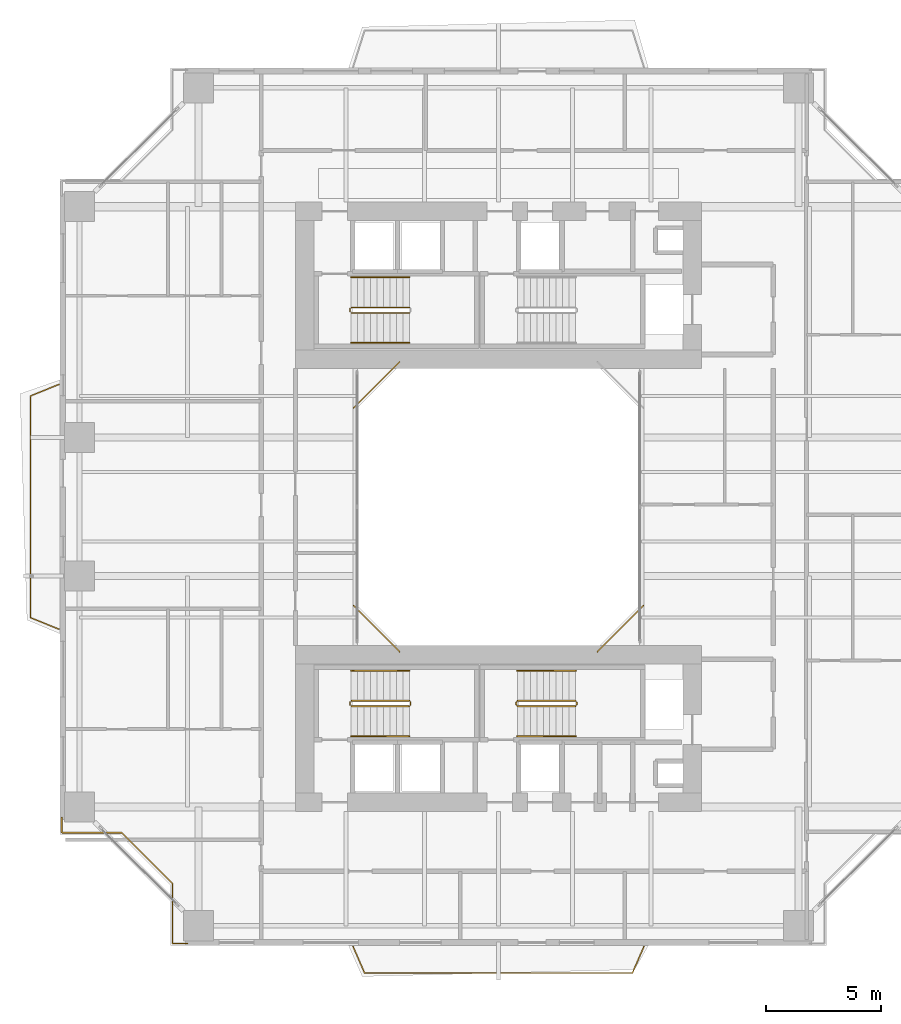
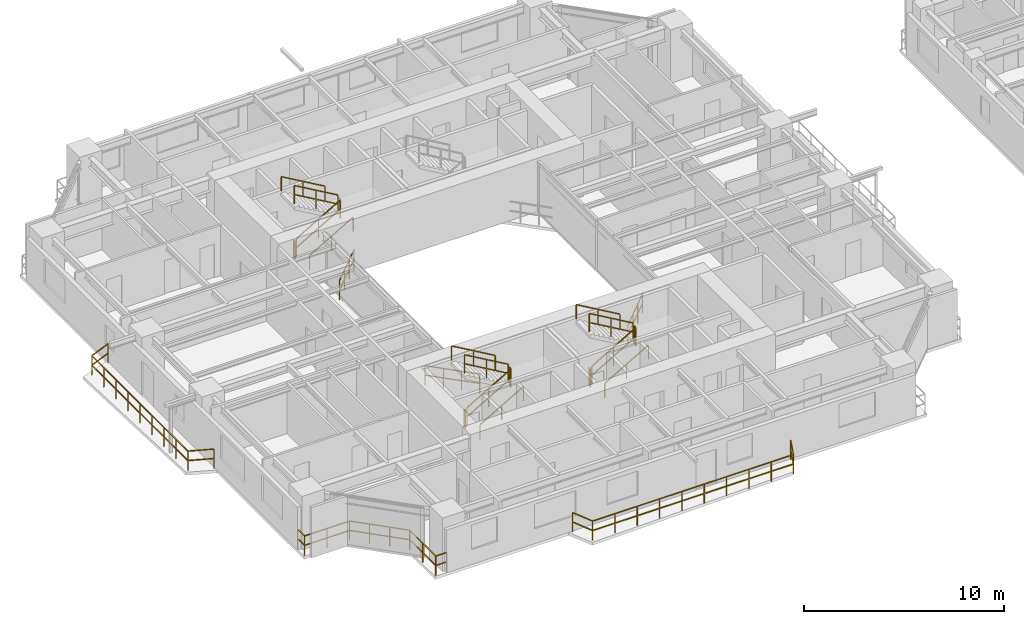
# One storey, part 20 of 23: 23 railings.
"""IFC4 building model written with IfcOpenShell, lengths in metres."""

from ifc_helpers import new_model, si_unit, direction, frame, origin, origin_2d, place, context, subcontext, project, spatial, rectangle, extrude, material, type_object, element, save


model = new_model("IFC4")

# Units and contexts
model_context = context("Model", 3, precision=1e-05, world=origin(), true_north=direction((0.0, 1.0)))
body_context = subcontext(model_context, "Body", "Model", "MODEL_VIEW")
ifc_project = project(units=[si_unit("LENGTHUNIT", "METRE"), si_unit("AREAUNIT", "SQUARE_METRE"), si_unit("VOLUMEUNIT", "CUBIC_METRE"), si_unit("PLANEANGLEUNIT", "RADIAN"), si_unit("MASSUNIT", "GRAM", prefix="KILO"), si_unit("THERMODYNAMICTEMPERATUREUNIT", "KELVIN"), si_unit("POWERUNIT", "WATT")], contexts=[model_context])

# Site, building, storey
site_placement = place(None, origin())
site = spatial("IfcSite", under=ifc_project, at=site_placement, CompositionType="ELEMENT")
building_placement = place(site_placement, origin())
building = spatial("IfcBuilding", under=site, at=building_placement, Name="Qiaomeng Ring Towers", CompositionType="ELEMENT")
storey_placement = place(building_placement, frame((0.0, 0.0, 86.0)))
storey = spatial("IfcBuildingStorey", under=building, at=storey_placement, Name="L24", CompositionType="ELEMENT", Elevation=86.0)

# Railings
ifc_material_1 = material(Name="Low-E pale-green laminated safety glass", Category="glass")
railing_type_1 = type_object("IfcRailingType", Name="ARC-RL-BAL1", PredefinedType="BALUSTRADE", material=ifc_material_1)
railing_1_placement = place(storey_placement, frame((23.280029296875, 16.719970703125, 0.0)))
element("IfcRailing", 1, at=railing_1_placement, inside=storey, type_object=railing_type_1, Name="L24 Balustrade ARC-BAL-WELL1-L24-1", PredefinedType="BALUSTRADE", context=body_context, shape_type="SweptSolid", body=[
    extrude(rectangle(XDim=0.048095703125, YDim=0.048095703125, at=origin_2d()), frame((0.0, 0.0, 1.17578125), z_axis=(0.707106781187, 0.707106781187, 0.0), x_axis=(-0.707106781187, 0.707106781187, 0.0)), (0.0, 0.0, 1.0), 2.828369140625),
    extrude(rectangle(XDim=0.048095703125, YDim=0.048095703125, at=origin_2d()), frame((0.0, 0.0, 0.60009765625), z_axis=(0.707106781187, 0.707106781187, 0.0), x_axis=(-0.707106781187, 0.707106781187, 0.0)), (0.0, 0.0, 1.0), 2.828369140625),
    extrude(rectangle(XDim=0.0419921875, YDim=0.0419921875, at=origin_2d()), origin(), (0.0, 0.0, 1.0), 1.15185546875),
    extrude(rectangle(XDim=0.0419921875, YDim=0.0419921875, at=origin_2d()), frame((0.666748046875, 0.666748046875, 0.0)), (0.0, 0.0, 1.0), 1.15185546875),
    extrude(rectangle(XDim=0.0419921875, YDim=0.0419921875, at=origin_2d()), frame((1.333251953125, 1.333251953125, 0.0)), (0.0, 0.0, 1.0), 1.15185546875),
    extrude(rectangle(XDim=0.0419921875, YDim=0.0419921875, at=origin_2d()), frame((2.0, 2.0, 0.0)), (0.0, 0.0, 1.0), 1.15185546875),
])
railing_2_placement = place(storey_placement, frame((14.719970703125, 29.280029296875, 0.0)))
element("IfcRailing", 2, at=railing_2_placement, inside=storey, type_object=railing_type_1, Name="L24 Balustrade ARC-BAL-WELL1-L24-3", PredefinedType="BALUSTRADE", context=body_context, shape_type="SweptSolid", body=[
    extrude(rectangle(XDim=0.048095703125, YDim=0.048095703125, at=origin_2d()), frame((0.0, 0.0, 1.17578125), z_axis=(-0.707106781187, -0.707106781187, 0.0), x_axis=(0.707106781187, -0.707106781187, 0.0)), (0.0, 0.0, 1.0), 2.828369140625),
    extrude(rectangle(XDim=0.048095703125, YDim=0.048095703125, at=origin_2d()), frame((0.0, 0.0, 0.60009765625), z_axis=(-0.707106781187, -0.707106781187, 0.0), x_axis=(0.707106781187, -0.707106781187, 0.0)), (0.0, 0.0, 1.0), 2.828369140625),
    extrude(rectangle(XDim=0.0419921875, YDim=0.0419921875, at=origin_2d()), origin(), (0.0, 0.0, 1.0), 1.15185546875),
    extrude(rectangle(XDim=0.0419921875, YDim=0.0419921875, at=origin_2d()), frame((-0.666748046875, -0.666748046875, 0.0)), (0.0, 0.0, 1.0), 1.15185546875),
    extrude(rectangle(XDim=0.0419921875, YDim=0.0419921875, at=origin_2d()), frame((-1.333251953125, -1.333251953125, 0.0)), (0.0, 0.0, 1.0), 1.15185546875),
    extrude(rectangle(XDim=0.0419921875, YDim=0.0419921875, at=origin_2d()), frame((-2.0, -2.0, 0.0)), (0.0, 0.0, 1.0), 1.15185546875),
])
railing_3_placement = place(storey_placement, frame((12.719970703125, 18.719970703125, 0.0)))
element("IfcRailing", 3, at=railing_3_placement, inside=storey, type_object=railing_type_1, Name="L24 Balustrade ARC-BAL-WELL1-L24-4", PredefinedType="BALUSTRADE", context=body_context, shape_type="SweptSolid", body=[
    extrude(rectangle(XDim=0.048095703125, YDim=0.048095703125, at=origin_2d()), frame((0.0, 0.0, 1.17578125), z_axis=(0.707106781187, -0.707106781187, 0.0), x_axis=(0.707106781187, 0.707106781187, 0.0)), (0.0, 0.0, 1.0), 2.828369140625),
    extrude(rectangle(XDim=0.048095703125, YDim=0.048095703125, at=origin_2d()), frame((0.0, 0.0, 0.60009765625), z_axis=(0.707106781187, -0.707106781187, 0.0), x_axis=(0.707106781187, 0.707106781187, 0.0)), (0.0, 0.0, 1.0), 2.828369140625),
    extrude(rectangle(XDim=0.0419921875, YDim=0.0419921875, at=origin_2d()), origin(), (0.0, 0.0, 1.0), 1.15185546875),
    extrude(rectangle(XDim=0.0419921875, YDim=0.0419921875, at=origin_2d()), frame((0.666748046875, -0.666748046875, 0.0)), (0.0, 0.0, 1.0), 1.15185546875),
    extrude(rectangle(XDim=0.0419921875, YDim=0.0419921875, at=origin_2d()), frame((1.333251953125, -1.333251953125, 0.0)), (0.0, 0.0, 1.0), 1.15185546875),
    extrude(rectangle(XDim=0.0419921875, YDim=0.0419921875, at=origin_2d()), frame((2.0, -2.0, 0.0)), (0.0, 0.0, 1.0), 1.15185546875),
])
railing_4_placement = place(storey_placement, frame((0.080078125, 9.530029296875, 0.0)))
element("IfcRailing", 4, at=railing_4_placement, inside=storey, type_object=railing_type_1, Name="L24 Balustrade ARC-BAL-NOTCH1-L24-SW", PredefinedType="BALUSTRADE", context=body_context, shape_type="SweptSolid", body=[
    extrude(rectangle(XDim=0.048095703125, YDim=0.048095703125, at=origin_2d()), frame((0.0, 0.0, 1.17578125), z_axis=(0.0, -1.0, 0.0), x_axis=(1.0, 0.0, 0.0)), (0.0, 0.0, 1.0), 0.650146484375),
    extrude(rectangle(XDim=0.048095703125, YDim=0.048095703125, at=origin_2d()), frame((0.0, 0.0, 0.60009765625), z_axis=(0.0, -1.0, 0.0), x_axis=(1.0, 0.0, 0.0)), (0.0, 0.0, 1.0), 0.650146484375),
    extrude(rectangle(XDim=0.048095703125, YDim=0.048095703125, at=origin_2d()), frame((0.0, -0.650146484375, 1.17578125), z_axis=(1.0, 0.0, 0.0), x_axis=(0.0, 1.0, 0.0)), (0.0, 0.0, 1.0), 2.599853515625),
    extrude(rectangle(XDim=0.048095703125, YDim=0.048095703125, at=origin_2d()), frame((0.0, -0.650146484375, 0.60009765625), z_axis=(1.0, 0.0, 0.0), x_axis=(0.0, 1.0, 0.0)), (0.0, 0.0, 1.0), 2.599853515625),
    extrude(rectangle(XDim=0.048095703125, YDim=0.048095703125, at=origin_2d()), frame((2.599853515625, -0.650146484375, 1.17578125), z_axis=(0.707106781187, -0.707106781187, 0.0), x_axis=(0.707106781187, 0.707106781187, 0.0)), (0.0, 0.0, 1.0), 3.111083984375),
    extrude(rectangle(XDim=0.048095703125, YDim=0.048095703125, at=origin_2d()), frame((2.599853515625, -0.650146484375, 0.60009765625), z_axis=(0.707106781187, -0.707106781187, 0.0), x_axis=(0.707106781187, 0.707106781187, 0.0)), (0.0, 0.0, 1.0), 3.111083984375),
    extrude(rectangle(XDim=0.048095703125, YDim=0.048095703125, at=origin_2d()), frame((4.7998046875, -2.85009765625, 1.17578125), z_axis=(0.0, -1.0, 0.0), x_axis=(1.0, 0.0, 0.0)), (0.0, 0.0, 1.0), 2.599853515625),
    extrude(rectangle(XDim=0.048095703125, YDim=0.048095703125, at=origin_2d()), frame((4.7998046875, -2.85009765625, 0.60009765625), z_axis=(0.0, -1.0, 0.0), x_axis=(1.0, 0.0, 0.0)), (0.0, 0.0, 1.0), 2.599853515625),
    extrude(rectangle(XDim=0.048095703125, YDim=0.048095703125, at=origin_2d()), frame((4.7998046875, -5.449951171875, 1.17578125), z_axis=(1.0, 0.0, 0.0), x_axis=(0.0, 1.0, 0.0)), (0.0, 0.0, 1.0), 0.650146484375),
    extrude(rectangle(XDim=0.048095703125, YDim=0.048095703125, at=origin_2d()), frame((4.7998046875, -5.449951171875, 0.60009765625), z_axis=(1.0, 0.0, 0.0), x_axis=(0.0, 1.0, 0.0)), (0.0, 0.0, 1.0), 0.650146484375),
    extrude(rectangle(XDim=0.0419921875, YDim=0.0419921875, at=origin_2d()), origin(), (0.0, 0.0, 1.0), 1.15185546875),
    extrude(rectangle(XDim=0.0419921875, YDim=0.0419921875, at=origin_2d()), frame((0.0, -0.650146484375, 0.0)), (0.0, 0.0, 1.0), 1.15185546875),
    extrude(rectangle(XDim=0.0419921875, YDim=0.0419921875, at=origin_2d()), frame((1.2998046875, -0.650146484375, 0.0)), (0.0, 0.0, 1.0), 1.15185546875),
    extrude(rectangle(XDim=0.0419921875, YDim=0.0419921875, at=origin_2d()), frame((2.599853515625, -0.650146484375, 0.0)), (0.0, 0.0, 1.0), 1.15185546875),
    extrude(rectangle(XDim=0.0419921875, YDim=0.0419921875, at=origin_2d()), frame((3.333251953125, -1.383544921875, 0.0)), (0.0, 0.0, 1.0), 1.15185546875),
    extrude(rectangle(XDim=0.0419921875, YDim=0.0419921875, at=origin_2d()), frame((4.06640625, -2.11669921875, 0.0)), (0.0, 0.0, 1.0), 1.15185546875),
    extrude(rectangle(XDim=0.0419921875, YDim=0.0419921875, at=origin_2d()), frame((4.7998046875, -2.85009765625, 0.0)), (0.0, 0.0, 1.0), 1.15185546875),
    extrude(rectangle(XDim=0.0419921875, YDim=0.0419921875, at=origin_2d()), frame((4.7998046875, -4.14990234375, 0.0)), (0.0, 0.0, 1.0), 1.15185546875),
    extrude(rectangle(XDim=0.0419921875, YDim=0.0419921875, at=origin_2d()), frame((4.7998046875, -5.449951171875, 0.0)), (0.0, 0.0, 1.0), 1.15185546875),
    extrude(rectangle(XDim=0.0419921875, YDim=0.0419921875, at=origin_2d()), frame((5.449951171875, -5.449951171875, 0.0)), (0.0, 0.0, 1.0), 1.15185546875),
])
railing_5_placement = place(storey_placement, frame((12.699951171875, 3.949951171875, 0.0)))
element("IfcRailing", 5, at=railing_5_placement, inside=storey, type_object=railing_type_1, Name="L24 Balustrade ARC-BAL-L24-T1-S", PredefinedType="BALUSTRADE", context=body_context, shape_type="SweptSolid", body=[
    extrude(rectangle(XDim=0.048095703125, YDim=0.048095703125, at=origin_2d()), frame((0.0, 0.0, 1.17578125), z_axis=(0.398754589448, -0.917057673974, 0.0), x_axis=(0.917057673974, 0.398754589448, 0.0)), (0.0, 0.0, 1.0), 1.25390625),
    extrude(rectangle(XDim=0.048095703125, YDim=0.048095703125, at=origin_2d()), frame((0.0, 0.0, 0.60009765625), z_axis=(0.398754589448, -0.917057673974, 0.0), x_axis=(0.917057673974, 0.398754589448, 0.0)), (0.0, 0.0, 1.0), 1.25390625),
    extrude(rectangle(XDim=0.048095703125, YDim=0.048095703125, at=origin_2d()), frame((0.5, -1.14990234375, 1.17578125), z_axis=(1.0, 0.0, 0.0), x_axis=(0.0, 1.0, 0.0)), (0.0, 0.0, 1.0), 11.60009765625),
    extrude(rectangle(XDim=0.048095703125, YDim=0.048095703125, at=origin_2d()), frame((0.5, -1.14990234375, 0.60009765625), z_axis=(1.0, 0.0, 0.0), x_axis=(0.0, 1.0, 0.0)), (0.0, 0.0, 1.0), 11.60009765625),
    extrude(rectangle(XDim=0.048095703125, YDim=0.048095703125, at=origin_2d()), frame((12.10009765625, -1.14990234375, 1.17578125), z_axis=(0.398754589448, 0.917057673974, 0.0), x_axis=(-0.917057673974, 0.398754589448, 0.0)), (0.0, 0.0, 1.0), 1.25390625),
    extrude(rectangle(XDim=0.048095703125, YDim=0.048095703125, at=origin_2d()), frame((12.10009765625, -1.14990234375, 0.60009765625), z_axis=(0.398754589448, 0.917057673974, 0.0), x_axis=(-0.917057673974, 0.398754589448, 0.0)), (0.0, 0.0, 1.0), 1.25390625),
    extrude(rectangle(XDim=0.0419921875, YDim=0.0419921875, at=origin_2d()), origin(), (0.0, 0.0, 1.0), 1.15185546875),
    extrude(rectangle(XDim=0.0419921875, YDim=0.0419921875, at=origin_2d()), frame((0.5, -1.14990234375, 0.0)), (0.0, 0.0, 1.0), 1.15185546875),
    extrude(rectangle(XDim=0.0419921875, YDim=0.0419921875, at=origin_2d()), frame((1.788818359375, -1.14990234375, 0.0)), (0.0, 0.0, 1.0), 1.15185546875),
    extrude(rectangle(XDim=0.0419921875, YDim=0.0419921875, at=origin_2d()), frame((3.077880859375, -1.14990234375, 0.0)), (0.0, 0.0, 1.0), 1.15185546875),
    extrude(rectangle(XDim=0.0419921875, YDim=0.0419921875, at=origin_2d()), frame((4.36669921875, -1.14990234375, 0.0)), (0.0, 0.0, 1.0), 1.15185546875),
    extrude(rectangle(XDim=0.0419921875, YDim=0.0419921875, at=origin_2d()), frame((5.655517578125, -1.14990234375, 0.0)), (0.0, 0.0, 1.0), 1.15185546875),
    extrude(rectangle(XDim=0.0419921875, YDim=0.0419921875, at=origin_2d()), frame((6.944580078125, -1.14990234375, 0.0)), (0.0, 0.0, 1.0), 1.15185546875),
    extrude(rectangle(XDim=0.0419921875, YDim=0.0419921875, at=origin_2d()), frame((8.2333984375, -1.14990234375, 0.0)), (0.0, 0.0, 1.0), 1.15185546875),
    extrude(rectangle(XDim=0.0419921875, YDim=0.0419921875, at=origin_2d()), frame((9.522216796875, -1.14990234375, 0.0)), (0.0, 0.0, 1.0), 1.15185546875),
    extrude(rectangle(XDim=0.0419921875, YDim=0.0419921875, at=origin_2d()), frame((10.811279296875, -1.14990234375, 0.0)), (0.0, 0.0, 1.0), 1.15185546875),
    extrude(rectangle(XDim=0.0419921875, YDim=0.0419921875, at=origin_2d()), frame((12.10009765625, -1.14990234375, 0.0)), (0.0, 0.0, 1.0), 1.15185546875),
    extrude(rectangle(XDim=0.0419921875, YDim=0.0419921875, at=origin_2d()), frame((12.60009765625, 0.0, 0.0)), (0.0, 0.0, 1.0), 1.15185546875),
])
railing_6_placement = place(storey_placement, frame((-0.050048828125, 17.699951171875, 0.0)))
element("IfcRailing", 6, at=railing_6_placement, inside=storey, type_object=railing_type_1, Name="L24 Balustrade ARC-BAL-L24-T1-W", PredefinedType="BALUSTRADE", context=body_context, shape_type="SweptSolid", body=[
    extrude(rectangle(XDim=0.048095703125, YDim=0.048095703125, at=origin_2d()), frame((0.0, 0.0, 1.17578125), z_axis=(-0.926382398109, 0.376584190418, 0.0), x_axis=(-0.376584190418, -0.926382398109, 0.0)), (0.0, 0.0, 1.0), 1.32763671875),
    extrude(rectangle(XDim=0.048095703125, YDim=0.048095703125, at=origin_2d()), frame((0.0, 0.0, 0.60009765625), z_axis=(-0.926382398109, 0.376584190418, 0.0), x_axis=(-0.376584190418, -0.926382398109, 0.0)), (0.0, 0.0, 1.0), 1.32763671875),
    extrude(rectangle(XDim=0.048095703125, YDim=0.048095703125, at=origin_2d()), frame((-1.22998046875, 0.5, 1.17578125), z_axis=(0.0, 1.0, 0.0), x_axis=(-1.0, 0.0, 0.0)), (0.0, 0.0, 1.0), 9.60009765625),
    extrude(rectangle(XDim=0.048095703125, YDim=0.048095703125, at=origin_2d()), frame((-1.22998046875, 0.5, 0.60009765625), z_axis=(0.0, 1.0, 0.0), x_axis=(-1.0, 0.0, 0.0)), (0.0, 0.0, 1.0), 9.60009765625),
    extrude(rectangle(XDim=0.048095703125, YDim=0.048095703125, at=origin_2d()), frame((-1.22998046875, 10.10009765625, 1.17578125), z_axis=(0.926382398109, 0.376584190418, 0.0), x_axis=(-0.376584190418, 0.926382398109, 0.0)), (0.0, 0.0, 1.0), 1.32763671875),
    extrude(rectangle(XDim=0.048095703125, YDim=0.048095703125, at=origin_2d()), frame((-1.22998046875, 10.10009765625, 0.60009765625), z_axis=(0.926382398109, 0.376584190418, 0.0), x_axis=(-0.376584190418, 0.926382398109, 0.0)), (0.0, 0.0, 1.0), 1.32763671875),
    extrude(rectangle(XDim=0.0419921875, YDim=0.0419921875, at=origin_2d()), origin(), (0.0, 0.0, 1.0), 1.15185546875),
    extrude(rectangle(XDim=0.0419921875, YDim=0.0419921875, at=origin_2d()), frame((-1.22998046875, 0.5, 0.0)), (0.0, 0.0, 1.0), 1.15185546875),
    extrude(rectangle(XDim=0.0419921875, YDim=0.0419921875, at=origin_2d()), frame((-1.22998046875, 1.699951171875, 0.0)), (0.0, 0.0, 1.0), 1.15185546875),
    extrude(rectangle(XDim=0.0419921875, YDim=0.0419921875, at=origin_2d()), frame((-1.22998046875, 2.89990234375, 0.0)), (0.0, 0.0, 1.0), 1.15185546875),
    extrude(rectangle(XDim=0.0419921875, YDim=0.0419921875, at=origin_2d()), frame((-1.22998046875, 4.10009765625, 0.0)), (0.0, 0.0, 1.0), 1.15185546875),
    extrude(rectangle(XDim=0.0419921875, YDim=0.0419921875, at=origin_2d()), frame((-1.22998046875, 5.300048828125, 0.0)), (0.0, 0.0, 1.0), 1.15185546875),
    extrude(rectangle(XDim=0.0419921875, YDim=0.0419921875, at=origin_2d()), frame((-1.22998046875, 6.5, 0.0)), (0.0, 0.0, 1.0), 1.15185546875),
    extrude(rectangle(XDim=0.0419921875, YDim=0.0419921875, at=origin_2d()), frame((-1.22998046875, 7.7001953125, 0.0)), (0.0, 0.0, 1.0), 1.15185546875),
    extrude(rectangle(XDim=0.0419921875, YDim=0.0419921875, at=origin_2d()), frame((-1.22998046875, 8.900146484375, 0.0)), (0.0, 0.0, 1.0), 1.15185546875),
    extrude(rectangle(XDim=0.0419921875, YDim=0.0419921875, at=origin_2d()), frame((-1.22998046875, 10.10009765625, 0.0)), (0.0, 0.0, 1.0), 1.15185546875),
    extrude(rectangle(XDim=0.0419921875, YDim=0.0419921875, at=origin_2d()), frame((0.0, 10.60009765625, 0.0)), (0.0, 0.0, 1.0), 1.15185546875),
])
ifc_material_2 = material(Name="Galvanised steel", Category="steel")
railing_type_2 = type_object("IfcRailingType", Name="ARC-RL-GUARD", PredefinedType="GUARDRAIL", material=ifc_material_2)
railing_7_placement = place(storey_placement, frame((12.6201171875, 31.39990234375, 0.16259765625)))
element("IfcRailing", 7, at=railing_7_placement, inside=storey, type_object=railing_type_2, Name="L24 ST1 stair guard 1", PredefinedType="GUARDRAIL", context=body_context, shape_type="SweptSolid", body=[
    extrude(rectangle(XDim=0.048095703125, YDim=0.048095703125, at=origin_2d()), frame((0.0, 0.0, 1.1259765625), z_axis=(0.864892226395, 0.0, 0.501957604506), x_axis=(0.0, 1.0, 0.0)), (0.0, 0.0, 1.0), 2.913330078125),
    extrude(rectangle(XDim=0.048095703125, YDim=0.048095703125, at=origin_2d()), frame((0.0, 0.0, 0.574951171875), z_axis=(0.864892226395, 0.0, 0.501957604506), x_axis=(0.0, 1.0, 0.0)), (0.0, 0.0, 1.0), 2.913330078125),
    extrude(rectangle(XDim=0.0419921875, YDim=0.0419921875, at=origin_2d()), origin(), (0.0, 0.0, 1.0), 1.101806640625),
    extrude(rectangle(XDim=0.0419921875, YDim=0.0419921875, at=origin_2d()), frame((1.259765625, 0.0, 0.731201171875)), (0.0, 0.0, 1.0), 1.101806640625),
    extrude(rectangle(XDim=0.0419921875, YDim=0.0419921875, at=origin_2d()), frame((2.519775390625, 0.0, 1.46240234375)), (0.0, 0.0, 1.0), 1.101806640625),
])
railing_8_placement = place(storey_placement, frame((15.139892578125, 31.639892578125, 1.78759765625)))
element("IfcRailing", 8, at=railing_8_placement, inside=storey, type_object=railing_type_2, Name="L24 ST1 stair guard 3", PredefinedType="GUARDRAIL", context=body_context, shape_type="SweptSolid", body=[
    extrude(rectangle(XDim=0.048095703125, YDim=0.048095703125, at=origin_2d()), frame((0.0, 0.0, 1.1259765625), z_axis=(-0.864892226395, 0.0, 0.501957604506), x_axis=(0.0, -1.0, 0.0)), (0.0, 0.0, 1.0), 2.913330078125),
    extrude(rectangle(XDim=0.048095703125, YDim=0.048095703125, at=origin_2d()), frame((0.0, 0.0, 0.574951171875), z_axis=(-0.864892226395, 0.0, 0.501957604506), x_axis=(0.0, -1.0, 0.0)), (0.0, 0.0, 1.0), 2.913330078125),
    extrude(rectangle(XDim=0.0419921875, YDim=0.0419921875, at=origin_2d()), origin(), (0.0, 0.0, 1.0), 1.101806640625),
    extrude(rectangle(XDim=0.0419921875, YDim=0.0419921875, at=origin_2d()), frame((-1.259765625, 0.0, 0.731201171875)), (0.0, 0.0, 1.0), 1.101806640625),
    extrude(rectangle(XDim=0.0419921875, YDim=0.0419921875, at=origin_2d()), frame((-2.519775390625, 0.0, 1.46240234375)), (0.0, 0.0, 1.0), 1.101806640625),
])
railing_9_placement = place(storey_placement, frame((12.570068359375, 31.449951171875, 0.0)))
element("IfcRailing", 9, at=railing_9_placement, inside=storey, type_object=railing_type_2, Name="L24 ST1 stair guard 4", PredefinedType="GUARDRAIL", context=body_context, shape_type="SweptSolid", body=[
    extrude(rectangle(XDim=0.048095703125, YDim=0.048095703125, at=origin_2d()), frame((0.0, 0.0, 1.1259765625), z_axis=(0.0, 1.0, 0.0), x_axis=(-1.0, 0.0, 0.0)), (0.0, 0.0, 1.0), 0.14013671875),
    extrude(rectangle(XDim=0.048095703125, YDim=0.048095703125, at=origin_2d()), frame((0.0, 0.0, 0.574951171875), z_axis=(0.0, 1.0, 0.0), x_axis=(-1.0, 0.0, 0.0)), (0.0, 0.0, 1.0), 0.14013671875),
    extrude(rectangle(XDim=0.0419921875, YDim=0.0419921875, at=origin_2d()), origin(), (0.0, 0.0, 1.0), 1.101806640625),
    extrude(rectangle(XDim=0.0419921875, YDim=0.0419921875, at=origin_2d()), frame((0.0, 0.14013671875, 0.0)), (0.0, 0.0, 1.0), 1.101806640625),
])
railing_10_placement = place(storey_placement, frame((12.6201171875, 14.360107421875, 0.16259765625)))
element("IfcRailing", 10, at=railing_10_placement, inside=storey, type_object=railing_type_2, Name="L24 ST3 stair guard 1", PredefinedType="GUARDRAIL", context=body_context, shape_type="SweptSolid", body=[
    extrude(rectangle(XDim=0.048095703125, YDim=0.048095703125, at=origin_2d()), frame((0.0, 0.0, 1.1259765625), z_axis=(0.864892226395, 0.0, 0.501957604506), x_axis=(0.0, 1.0, 0.0)), (0.0, 0.0, 1.0), 2.913330078125),
    extrude(rectangle(XDim=0.048095703125, YDim=0.048095703125, at=origin_2d()), frame((0.0, 0.0, 0.574951171875), z_axis=(0.864892226395, 0.0, 0.501957604506), x_axis=(0.0, 1.0, 0.0)), (0.0, 0.0, 1.0), 2.913330078125),
    extrude(rectangle(XDim=0.0419921875, YDim=0.0419921875, at=origin_2d()), origin(), (0.0, 0.0, 1.0), 1.101806640625),
    extrude(rectangle(XDim=0.0419921875, YDim=0.0419921875, at=origin_2d()), frame((1.259765625, 0.0, 0.731201171875)), (0.0, 0.0, 1.0), 1.101806640625),
    extrude(rectangle(XDim=0.0419921875, YDim=0.0419921875, at=origin_2d()), frame((2.519775390625, 0.0, 1.46240234375)), (0.0, 0.0, 1.0), 1.101806640625),
])
railing_11_placement = place(storey_placement, frame((15.18994140625, 14.409912109375, 1.625)))
element("IfcRailing", 11, at=railing_11_placement, inside=storey, type_object=railing_type_2, Name="L24 ST3 stair guard 2", PredefinedType="GUARDRAIL", context=body_context, shape_type="SweptSolid", body=[
    extrude(rectangle(XDim=0.048095703125, YDim=0.048095703125, at=origin_2d()), frame((0.0, 0.0, 1.1259765625), z_axis=(0.0, 1.0, 0.0), x_axis=(-1.0, 0.0, 0.0)), (0.0, 0.0, 1.0), 0.14013671875),
    extrude(rectangle(XDim=0.048095703125, YDim=0.048095703125, at=origin_2d()), frame((0.0, 0.0, 0.574951171875), z_axis=(0.0, 1.0, 0.0), x_axis=(-1.0, 0.0, 0.0)), (0.0, 0.0, 1.0), 0.14013671875),
    extrude(rectangle(XDim=0.0419921875, YDim=0.0419921875, at=origin_2d()), origin(), (0.0, 0.0, 1.0), 1.101806640625),
    extrude(rectangle(XDim=0.0419921875, YDim=0.0419921875, at=origin_2d()), frame((0.0, 0.14013671875, 0.0)), (0.0, 0.0, 1.0), 1.101806640625),
])
railing_12_placement = place(storey_placement, frame((15.139892578125, 14.60009765625, 1.78759765625)))
element("IfcRailing", 12, at=railing_12_placement, inside=storey, type_object=railing_type_2, Name="L24 ST3 stair guard 3", PredefinedType="GUARDRAIL", context=body_context, shape_type="SweptSolid", body=[
    extrude(rectangle(XDim=0.048095703125, YDim=0.048095703125, at=origin_2d()), frame((0.0, 0.0, 1.1259765625), z_axis=(-0.864892226395, 0.0, 0.501957604506), x_axis=(0.0, -1.0, 0.0)), (0.0, 0.0, 1.0), 2.913330078125),
    extrude(rectangle(XDim=0.048095703125, YDim=0.048095703125, at=origin_2d()), frame((0.0, 0.0, 0.574951171875), z_axis=(-0.864892226395, 0.0, 0.501957604506), x_axis=(0.0, -1.0, 0.0)), (0.0, 0.0, 1.0), 2.913330078125),
    extrude(rectangle(XDim=0.0419921875, YDim=0.0419921875, at=origin_2d()), origin(), (0.0, 0.0, 1.0), 1.101806640625),
    extrude(rectangle(XDim=0.0419921875, YDim=0.0419921875, at=origin_2d()), frame((-1.259765625, 0.0, 0.731201171875)), (0.0, 0.0, 1.0), 1.101806640625),
    extrude(rectangle(XDim=0.0419921875, YDim=0.0419921875, at=origin_2d()), frame((-2.519775390625, 0.0, 1.46240234375)), (0.0, 0.0, 1.0), 1.101806640625),
])
railing_13_placement = place(storey_placement, frame((12.570068359375, 14.409912109375, 0.0)))
element("IfcRailing", 13, at=railing_13_placement, inside=storey, type_object=railing_type_2, Name="L24 ST3 stair guard 4", PredefinedType="GUARDRAIL", context=body_context, shape_type="SweptSolid", body=[
    extrude(rectangle(XDim=0.048095703125, YDim=0.048095703125, at=origin_2d()), frame((0.0, 0.0, 1.1259765625), z_axis=(0.0, 1.0, 0.0), x_axis=(-1.0, 0.0, 0.0)), (0.0, 0.0, 1.0), 0.14013671875),
    extrude(rectangle(XDim=0.048095703125, YDim=0.048095703125, at=origin_2d()), frame((0.0, 0.0, 0.574951171875), z_axis=(0.0, 1.0, 0.0), x_axis=(-1.0, 0.0, 0.0)), (0.0, 0.0, 1.0), 0.14013671875),
    extrude(rectangle(XDim=0.0419921875, YDim=0.0419921875, at=origin_2d()), origin(), (0.0, 0.0, 1.0), 1.101806640625),
    extrude(rectangle(XDim=0.0419921875, YDim=0.0419921875, at=origin_2d()), frame((0.0, 0.14013671875, 0.0)), (0.0, 0.0, 1.0), 1.101806640625),
])
railing_14_placement = place(storey_placement, frame((19.820068359375, 14.360107421875, 0.16259765625)))
element("IfcRailing", 14, at=railing_14_placement, inside=storey, type_object=railing_type_2, Name="L24 ST4 stair guard 1", PredefinedType="GUARDRAIL", context=body_context, shape_type="SweptSolid", body=[
    extrude(rectangle(XDim=0.048095703125, YDim=0.048095703125, at=origin_2d()), frame((0.0, 0.0, 1.1259765625), z_axis=(0.864913338283, 0.0, 0.50192122615), x_axis=(0.0, 1.0, 0.0)), (0.0, 0.0, 1.0), 2.91357421875),
    extrude(rectangle(XDim=0.048095703125, YDim=0.048095703125, at=origin_2d()), frame((0.0, 0.0, 0.574951171875), z_axis=(0.864913338283, 0.0, 0.50192122615), x_axis=(0.0, 1.0, 0.0)), (0.0, 0.0, 1.0), 2.91357421875),
    extrude(rectangle(XDim=0.0419921875, YDim=0.0419921875, at=origin_2d()), origin(), (0.0, 0.0, 1.0), 1.101806640625),
    extrude(rectangle(XDim=0.0419921875, YDim=0.0419921875, at=origin_2d()), frame((1.260009765625, 0.0, 0.731201171875)), (0.0, 0.0, 1.0), 1.101806640625),
    extrude(rectangle(XDim=0.0419921875, YDim=0.0419921875, at=origin_2d()), frame((2.52001953125, 0.0, 1.46240234375)), (0.0, 0.0, 1.0), 1.101806640625),
])
railing_15_placement = place(storey_placement, frame((22.389892578125, 14.409912109375, 1.625)))
element("IfcRailing", 15, at=railing_15_placement, inside=storey, type_object=railing_type_2, Name="L24 ST4 stair guard 2", PredefinedType="GUARDRAIL", context=body_context, shape_type="SweptSolid", body=[
    extrude(rectangle(XDim=0.048095703125, YDim=0.048095703125, at=origin_2d()), frame((0.0, 0.0, 1.1259765625), z_axis=(0.0, 1.0, 0.0), x_axis=(-1.0, 0.0, 0.0)), (0.0, 0.0, 1.0), 0.14013671875),
    extrude(rectangle(XDim=0.048095703125, YDim=0.048095703125, at=origin_2d()), frame((0.0, 0.0, 0.574951171875), z_axis=(0.0, 1.0, 0.0), x_axis=(-1.0, 0.0, 0.0)), (0.0, 0.0, 1.0), 0.14013671875),
    extrude(rectangle(XDim=0.0419921875, YDim=0.0419921875, at=origin_2d()), origin(), (0.0, 0.0, 1.0), 1.101806640625),
    extrude(rectangle(XDim=0.0419921875, YDim=0.0419921875, at=origin_2d()), frame((0.0, 0.14013671875, 0.0)), (0.0, 0.0, 1.0), 1.101806640625),
])
railing_16_placement = place(storey_placement, frame((22.340087890625, 14.60009765625, 1.78759765625)))
element("IfcRailing", 16, at=railing_16_placement, inside=storey, type_object=railing_type_2, Name="L24 ST4 stair guard 3", PredefinedType="GUARDRAIL", context=body_context, shape_type="SweptSolid", body=[
    extrude(rectangle(XDim=0.048095703125, YDim=0.048095703125, at=origin_2d()), frame((0.0, 0.0, 1.1259765625), z_axis=(-0.864913338283, 0.0, 0.50192122615), x_axis=(0.0, -1.0, 0.0)), (0.0, 0.0, 1.0), 2.91357421875),
    extrude(rectangle(XDim=0.048095703125, YDim=0.048095703125, at=origin_2d()), frame((0.0, 0.0, 0.574951171875), z_axis=(-0.864913338283, 0.0, 0.50192122615), x_axis=(0.0, -1.0, 0.0)), (0.0, 0.0, 1.0), 2.91357421875),
    extrude(rectangle(XDim=0.0419921875, YDim=0.0419921875, at=origin_2d()), origin(), (0.0, 0.0, 1.0), 1.101806640625),
    extrude(rectangle(XDim=0.0419921875, YDim=0.0419921875, at=origin_2d()), frame((-1.260009765625, 0.0, 0.731201171875)), (0.0, 0.0, 1.0), 1.101806640625),
    extrude(rectangle(XDim=0.0419921875, YDim=0.0419921875, at=origin_2d()), frame((-2.52001953125, 0.0, 1.46240234375)), (0.0, 0.0, 1.0), 1.101806640625),
])
railing_17_placement = place(storey_placement, frame((19.77001953125, 14.409912109375, 0.0)))
element("IfcRailing", 17, at=railing_17_placement, inside=storey, type_object=railing_type_2, Name="L24 ST4 stair guard 4", PredefinedType="GUARDRAIL", context=body_context, shape_type="SweptSolid", body=[
    extrude(rectangle(XDim=0.048095703125, YDim=0.048095703125, at=origin_2d()), frame((0.0, 0.0, 1.1259765625), z_axis=(0.0, 1.0, 0.0), x_axis=(-1.0, 0.0, 0.0)), (0.0, 0.0, 1.0), 0.14013671875),
    extrude(rectangle(XDim=0.048095703125, YDim=0.048095703125, at=origin_2d()), frame((0.0, 0.0, 0.574951171875), z_axis=(0.0, 1.0, 0.0), x_axis=(-1.0, 0.0, 0.0)), (0.0, 0.0, 1.0), 0.14013671875),
    extrude(rectangle(XDim=0.0419921875, YDim=0.0419921875, at=origin_2d()), origin(), (0.0, 0.0, 1.0), 1.101806640625),
    extrude(rectangle(XDim=0.0419921875, YDim=0.0419921875, at=origin_2d()), frame((0.0, 0.14013671875, 0.0)), (0.0, 0.0, 1.0), 1.101806640625),
])
ifc_material_3 = material(Name="Stainless steel 316", Category="steel")
railing_type_3 = type_object("IfcRailingType", Name="ARC-RL-HAND", PredefinedType="HANDRAIL", material=ifc_material_3)
railing_18_placement = place(storey_placement, frame((12.6201171875, 30.10009765625, 0.16259765625)))
element("IfcRailing", 18, at=railing_18_placement, inside=storey, type_object=railing_type_3, Name="L24 ST1 stair handrail 1", PredefinedType="HANDRAIL", context=body_context, shape_type="SweptSolid", body=[
    extrude(rectangle(XDim=0.048095703125, YDim=0.048095703125, at=origin_2d()), frame((0.0, 0.0, 0.8759765625), z_axis=(0.864892226395, 0.0, 0.501957604506), x_axis=(0.0, 1.0, 0.0)), (0.0, 0.0, 1.0), 2.913330078125),
    extrude(rectangle(XDim=0.0419921875, YDim=0.0419921875, at=origin_2d()), origin(), (0.0, 0.0, 1.0), 0.851806640625),
    extrude(rectangle(XDim=0.0419921875, YDim=0.0419921875, at=origin_2d()), frame((1.259765625, 0.0, 0.731201171875)), (0.0, 0.0, 1.0), 0.851806640625),
    extrude(rectangle(XDim=0.0419921875, YDim=0.0419921875, at=origin_2d()), frame((2.519775390625, 0.0, 1.46240234375)), (0.0, 0.0, 1.0), 0.851806640625),
])
railing_19_placement = place(storey_placement, frame((15.139892578125, 32.93994140625, 1.78759765625)))
element("IfcRailing", 19, at=railing_19_placement, inside=storey, type_object=railing_type_3, Name="L24 ST1 stair handrail 2", PredefinedType="HANDRAIL", context=body_context, shape_type="SweptSolid", body=[
    extrude(rectangle(XDim=0.048095703125, YDim=0.048095703125, at=origin_2d()), frame((0.0, 0.0, 0.8759765625), z_axis=(-0.864892226395, 0.0, 0.501957604506), x_axis=(0.0, -1.0, 0.0)), (0.0, 0.0, 1.0), 2.913330078125),
    extrude(rectangle(XDim=0.0419921875, YDim=0.0419921875, at=origin_2d()), origin(), (0.0, 0.0, 1.0), 0.851806640625),
    extrude(rectangle(XDim=0.0419921875, YDim=0.0419921875, at=origin_2d()), frame((-1.259765625, 0.0, 0.731201171875)), (0.0, 0.0, 1.0), 0.851806640625),
    extrude(rectangle(XDim=0.0419921875, YDim=0.0419921875, at=origin_2d()), frame((-2.519775390625, 0.0, 1.46240234375)), (0.0, 0.0, 1.0), 0.851806640625),
])
railing_20_placement = place(storey_placement, frame((12.6201171875, 13.06005859375, 0.16259765625)))
element("IfcRailing", 20, at=railing_20_placement, inside=storey, type_object=railing_type_3, Name="L24 ST3 stair handrail 1", PredefinedType="HANDRAIL", context=body_context, shape_type="SweptSolid", body=[
    extrude(rectangle(XDim=0.048095703125, YDim=0.048095703125, at=origin_2d()), frame((0.0, 0.0, 0.8759765625), z_axis=(0.864892226395, 0.0, 0.501957604506), x_axis=(0.0, 1.0, 0.0)), (0.0, 0.0, 1.0), 2.913330078125),
    extrude(rectangle(XDim=0.0419921875, YDim=0.0419921875, at=origin_2d()), origin(), (0.0, 0.0, 1.0), 0.851806640625),
    extrude(rectangle(XDim=0.0419921875, YDim=0.0419921875, at=origin_2d()), frame((1.259765625, 0.0, 0.731201171875)), (0.0, 0.0, 1.0), 0.851806640625),
    extrude(rectangle(XDim=0.0419921875, YDim=0.0419921875, at=origin_2d()), frame((2.519775390625, 0.0, 1.46240234375)), (0.0, 0.0, 1.0), 0.851806640625),
])
railing_21_placement = place(storey_placement, frame((15.139892578125, 15.89990234375, 1.78759765625)))
element("IfcRailing", 21, at=railing_21_placement, inside=storey, type_object=railing_type_3, Name="L24 ST3 stair handrail 2", PredefinedType="HANDRAIL", context=body_context, shape_type="SweptSolid", body=[
    extrude(rectangle(XDim=0.048095703125, YDim=0.048095703125, at=origin_2d()), frame((0.0, 0.0, 0.8759765625), z_axis=(-0.864892226395, 0.0, 0.501957604506), x_axis=(0.0, -1.0, 0.0)), (0.0, 0.0, 1.0), 2.913330078125),
    extrude(rectangle(XDim=0.0419921875, YDim=0.0419921875, at=origin_2d()), origin(), (0.0, 0.0, 1.0), 0.851806640625),
    extrude(rectangle(XDim=0.0419921875, YDim=0.0419921875, at=origin_2d()), frame((-1.259765625, 0.0, 0.731201171875)), (0.0, 0.0, 1.0), 0.851806640625),
    extrude(rectangle(XDim=0.0419921875, YDim=0.0419921875, at=origin_2d()), frame((-2.519775390625, 0.0, 1.46240234375)), (0.0, 0.0, 1.0), 0.851806640625),
])
railing_22_placement = place(storey_placement, frame((19.820068359375, 13.06005859375, 0.16259765625)))
element("IfcRailing", 22, at=railing_22_placement, inside=storey, type_object=railing_type_3, Name="L24 ST4 stair handrail 1", PredefinedType="HANDRAIL", context=body_context, shape_type="SweptSolid", body=[
    extrude(rectangle(XDim=0.048095703125, YDim=0.048095703125, at=origin_2d()), frame((0.0, 0.0, 0.8759765625), z_axis=(0.864913338283, 0.0, 0.50192122615), x_axis=(0.0, 1.0, 0.0)), (0.0, 0.0, 1.0), 2.91357421875),
    extrude(rectangle(XDim=0.0419921875, YDim=0.0419921875, at=origin_2d()), origin(), (0.0, 0.0, 1.0), 0.851806640625),
    extrude(rectangle(XDim=0.0419921875, YDim=0.0419921875, at=origin_2d()), frame((1.260009765625, 0.0, 0.731201171875)), (0.0, 0.0, 1.0), 0.851806640625),
    extrude(rectangle(XDim=0.0419921875, YDim=0.0419921875, at=origin_2d()), frame((2.52001953125, 0.0, 1.46240234375)), (0.0, 0.0, 1.0), 0.851806640625),
])
railing_23_placement = place(storey_placement, frame((22.340087890625, 15.89990234375, 1.78759765625)))
element("IfcRailing", 23, at=railing_23_placement, inside=storey, type_object=railing_type_3, Name="L24 ST4 stair handrail 2", PredefinedType="HANDRAIL", context=body_context, shape_type="SweptSolid", body=[
    extrude(rectangle(XDim=0.048095703125, YDim=0.048095703125, at=origin_2d()), frame((0.0, 0.0, 0.8759765625), z_axis=(-0.864913338283, 0.0, 0.50192122615), x_axis=(0.0, -1.0, 0.0)), (0.0, 0.0, 1.0), 2.91357421875),
    extrude(rectangle(XDim=0.0419921875, YDim=0.0419921875, at=origin_2d()), origin(), (0.0, 0.0, 1.0), 0.851806640625),
    extrude(rectangle(XDim=0.0419921875, YDim=0.0419921875, at=origin_2d()), frame((-1.260009765625, 0.0, 0.731201171875)), (0.0, 0.0, 1.0), 0.851806640625),
    extrude(rectangle(XDim=0.0419921875, YDim=0.0419921875, at=origin_2d()), frame((-2.52001953125, 0.0, 1.46240234375)), (0.0, 0.0, 1.0), 0.851806640625),
])

save(model, "model.ifc")
